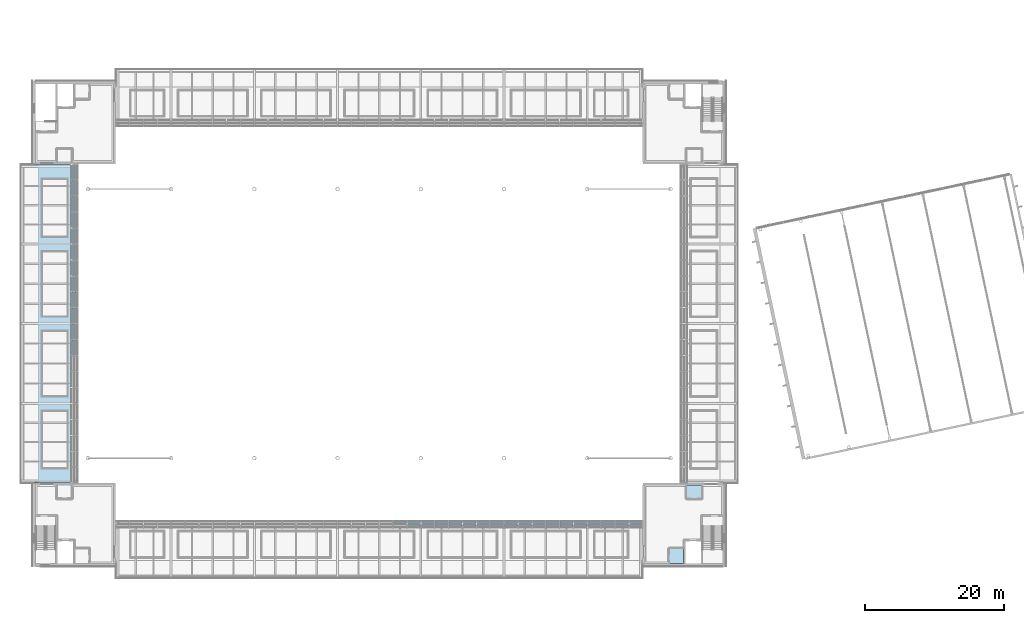
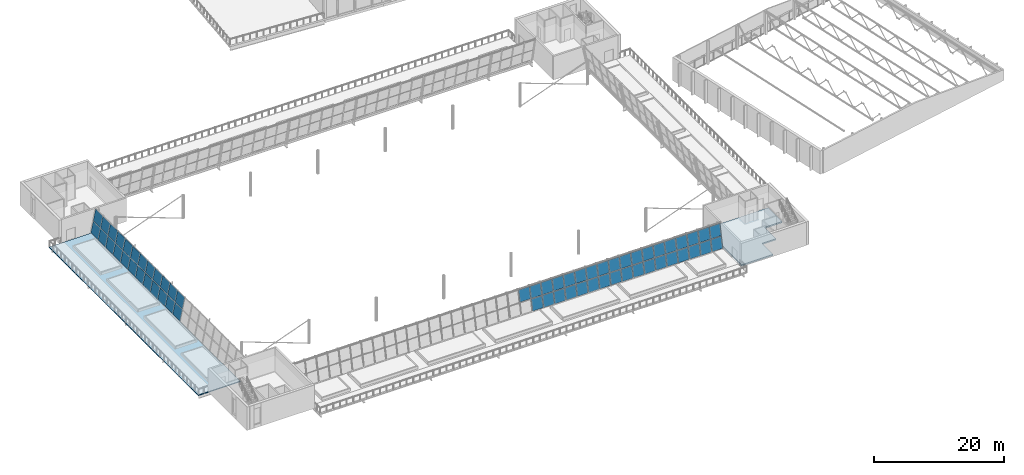
# One storey, part 26 of 58: 59 plates, 2 slabs, 2 elements without a shape of their own.
"""IFC4 building model written with IfcOpenShell, lengths in metres."""

from ifc_helpers import new_model, si_unit, direction, frame, origin, place, context, subcontext, project, spatial, polyline, outline, extrude, material, layer, layer_set, type_object, element, aggregate, save


model = new_model("IFC4")

# Units and contexts
model_context = context("Model", 3, precision=1e-05, world=origin(), true_north=direction((0.0, 1.0)))
body_context = subcontext(model_context, "Body", "Model", "MODEL_VIEW")
ifc_project = project(units=[si_unit("LENGTHUNIT", "METRE"), si_unit("AREAUNIT", "SQUARE_METRE"), si_unit("VOLUMEUNIT", "CUBIC_METRE"), si_unit("PLANEANGLEUNIT", "RADIAN"), si_unit("MASSUNIT", "GRAM", prefix="KILO")], contexts=[model_context])

# Site, building, storey
site_placement = place(None, origin())
site = spatial("IfcSite", under=ifc_project, at=site_placement, CompositionType="ELEMENT")
building_placement = place(site_placement, origin())
building = spatial("IfcBuilding", under=site, at=building_placement, Name="Windward Yard Aquatics Centre", CompositionType="ELEMENT")
storey_placement = place(building_placement, frame((0.0, 0.0, 13.800048828125)))
storey = spatial("IfcBuildingStorey", under=building, at=storey_placement, Name="L03", CompositionType="ELEMENT", Elevation=13.800048828125)

# Slabs
ifc_material_1 = material(Name="Concrete C35/45", Category="concrete")
ifc_layer_1 = layer(ifc_material_1, 0.25)
ifc_layer_set_1 = layer_set([ifc_layer_1], Name="H Core Floor Concrete C35/45 250")
slab_type_1 = type_object("IfcSlabType", Name="H Core Floor Concrete C35/45 250", PredefinedType="FLOOR", material=ifc_layer_set_1)
slab_1_placement = place(storey_placement, frame((0.0, 0.0, -0.25)))
element("IfcSlab", 1, at=slab_1_placement, inside=storey, type_object=slab_type_1, Name="L03 core floor SE", PredefinedType="FLOOR", context=body_context, shape_type="SweptSolid", body=[
    extrude(outline(polyline([(140.300048828125, 26.449951171875), (145.89990234375, 26.449951171875), (145.89990234375, 29.85009765625), (148.39990234375, 29.85009765625), (148.39990234375, 33.39990234375), (151.550048828125, 33.39990234375), (151.550048828125, 37.699951171875), (140.300048828125, 37.699951171875), (140.300048828125, 26.449951171875)])), origin(), (0.0, 0.0, 1.0), 0.25),
])
ifc_material_2 = material(Name="Bituminous waterproofing membrane with root barrier")
ifc_layer_2 = layer(ifc_material_2, 0.005, Name="Waterproofing and root barrier")
ifc_material_3 = material(Name="Cement screed laid to falls")
ifc_layer_3 = layer(ifc_material_3, 0.025, Name="Screed to falls")
ifc_layer_4 = layer(ifc_material_1, 0.12, Name="Structure")
ifc_layer_set_2 = layer_set([ifc_layer_2, ifc_layer_3, ifc_layer_4], Name="H terrace slab 150 C35/45")
slab_type_2 = type_object("IfcSlabType", Name="H terrace slab 150 C35/45", PredefinedType="FLOOR", material=ifc_layer_set_2)
slab_2_placement = place(storey_placement, frame((0.0, 0.0, -0.150146484375)))
element("IfcSlab", 2, at=slab_2_placement, inside=storey, type_object=slab_type_2, Name="H.T1.W", PredefinedType="FLOOR", context=body_context, shape_type="SweptSolid", body=[
    extrude(outline(polyline([(50.209716796875, 38.0), (57.709716796875, 38.0), (57.709716796875, 84.0), (50.209716796875, 84.0), (50.209716796875, 38.0)])), origin(), (0.0, 0.0, 1.0), 0.150146484375),
])

# Curtain wall, plates
ifc_material_4 = material(Name="Glass and aluminium curtain wall", Category="aluminium")
ifc_layer_5 = layer(ifc_material_4, 0.179931640625)
ifc_layer_set_3 = layer_set([ifc_layer_5], Name="H curtain wall tier 2 double glazed 6+16+6")
curtain_wall_type = type_object("IfcCurtainWallType", Name="H curtain wall tier 2 double glazed 6+16+6", PredefinedType="NOTDEFINED", material=ifc_layer_set_3)
curtain_wall_1_placement = place(storey_placement, origin())
curtain_wall_1 = element("IfcCurtainWall", 3, at=curtain_wall_1_placement, inside=storey, type_object=curtain_wall_type, Name="Tier 2 glazing S L03", PredefinedType="NOTDEFINED")
ifc_material_5 = material(Name="Low-iron glass", Category="glass")
ifc_layer_6 = layer(ifc_material_5, 0.006, Name="Outer pane")
ifc_material_6 = material(Name="Argon-filled cavity")
ifc_layer_7 = layer(ifc_material_6, 0.016, Name="Cavity")
ifc_layer_8 = layer(ifc_material_5, 0.006, Name="Inner pane")
ifc_layer_set_4 = layer_set([ifc_layer_6, ifc_layer_7, ifc_layer_8], Name="H tier 2 glass low-e double glazed unit 28")
plate_type = type_object("IfcPlateType", Name="H tier 2 glass low-e double glazed unit 28", PredefinedType="CURTAIN_PANEL", material=ifc_layer_set_4)
plate_1_placement = place(storey_placement, frame((104.037353515625, 32.053955078125, 2.251708984375), z_axis=(0.0, -0.979943605564, 0.199275010764), x_axis=(1.0, 0.0, 0.0)))
plate_1 = element("IfcPlate", 4, at=plate_1_placement, type_object=plate_type, Name="G2SB panel 2.2", PredefinedType="CURTAIN_PANEL", context=body_context, shape_type="SweptSolid", body=[
    extrude(outline(polyline([(0.0, 0.0), (1.93457, 0.0), (1.93457, 2.094997), (0.0, 2.094997), (0.0, 0.0)])), origin(), (0.0, 0.0, -1.0), 0.028076171875),
])
plate_2_placement = place(storey_placement, frame((106.036865234375, 31.617431640625, 0.107177734375), z_axis=(0.0, -0.979914212601, 0.199419497399), x_axis=(1.0, 0.0, 0.0)))
plate_2 = element("IfcPlate", 5, at=plate_2_placement, type_object=plate_type, Name="G2SB panel 3.1", PredefinedType="CURTAIN_PANEL", context=body_context, shape_type="SweptSolid", body=[
    extrude(outline(polyline([(0.0, 0.0), (1.934814, 0.0), (1.934814, 2.088582), (0.0, 2.088582), (0.0, 0.0)])), origin(), (0.0, 0.0, -1.0), 0.028076171875),
])
plate_3_placement = place(storey_placement, frame((106.036865234375, 32.053955078125, 2.251708984375), z_axis=(0.0, -0.979943605564, 0.199275010764), x_axis=(1.0, 0.0, 0.0)))
plate_3 = element("IfcPlate", 6, at=plate_3_placement, type_object=plate_type, Name="G2SB panel 3.2", PredefinedType="CURTAIN_PANEL", context=body_context, shape_type="SweptSolid", body=[
    extrude(outline(polyline([(0.0, 0.0), (1.934814, 0.0), (1.934814, 2.094997), (0.0, 2.094997), (0.0, 0.0)])), origin(), (0.0, 0.0, -1.0), 0.028076171875),
])
plate_4_placement = place(storey_placement, frame((108.03662109375, 31.617431640625, 0.107177734375), z_axis=(0.0, -0.979914212601, 0.199419497399), x_axis=(1.0, 0.0, 0.0)))
plate_4 = element("IfcPlate", 7, at=plate_4_placement, type_object=plate_type, Name="G2SB panel 4.1", PredefinedType="CURTAIN_PANEL", context=body_context, shape_type="SweptSolid", body=[
    extrude(outline(polyline([(0.0, 0.0), (1.934814, 0.0), (1.934814, 2.088582), (0.0, 2.088582), (0.0, 0.0)])), origin(), (0.0, 0.0, -1.0), 0.028076171875),
])
plate_5_placement = place(storey_placement, frame((108.03662109375, 32.053955078125, 2.251708984375), z_axis=(0.0, -0.979943605564, 0.199275010764), x_axis=(1.0, 0.0, 0.0)))
plate_5 = element("IfcPlate", 8, at=plate_5_placement, type_object=plate_type, Name="G2SB panel 4.2", PredefinedType="CURTAIN_PANEL", context=body_context, shape_type="SweptSolid", body=[
    extrude(outline(polyline([(0.0, 0.0), (1.934814, 0.0), (1.934814, 2.094997), (0.0, 2.094997), (0.0, 0.0)])), origin(), (0.0, 0.0, -1.0), 0.028076171875),
])
plate_6_placement = place(storey_placement, frame((110.036376953125, 31.617431640625, 0.107177734375), z_axis=(0.0, -0.979914212601, 0.199419497399), x_axis=(1.0, 0.0, 0.0)))
plate_6 = element("IfcPlate", 9, at=plate_6_placement, type_object=plate_type, Name="G2SB panel 5.1", PredefinedType="CURTAIN_PANEL", context=body_context, shape_type="SweptSolid", body=[
    extrude(outline(polyline([(0.0, 0.0), (1.934814, 0.0), (1.934814, 2.088582), (0.0, 2.088582), (0.0, 0.0)])), origin(), (0.0, 0.0, -1.0), 0.028076171875),
])
plate_7_placement = place(storey_placement, frame((110.036376953125, 32.053955078125, 2.251708984375), z_axis=(0.0, -0.979943605564, 0.199275010764), x_axis=(1.0, 0.0, 0.0)))
plate_7 = element("IfcPlate", 10, at=plate_7_placement, type_object=plate_type, Name="G2SB panel 5.2", PredefinedType="CURTAIN_PANEL", context=body_context, shape_type="SweptSolid", body=[
    extrude(outline(polyline([(0.0, 0.0), (1.934814, 0.0), (1.934814, 2.094997), (0.0, 2.094997), (0.0, 0.0)])), origin(), (0.0, 0.0, -1.0), 0.028076171875),
])
plate_8_placement = place(storey_placement, frame((112.0361328125, 31.617431640625, 0.107177734375), z_axis=(0.0, -0.979914212601, 0.199419497399), x_axis=(1.0, 0.0, 0.0)))
plate_8 = element("IfcPlate", 11, at=plate_8_placement, type_object=plate_type, Name="G2SB panel 6.1", PredefinedType="CURTAIN_PANEL", context=body_context, shape_type="SweptSolid", body=[
    extrude(outline(polyline([(0.0, 0.0), (1.934814, 0.0), (1.934814, 2.088582), (0.0, 2.088582), (0.0, 0.0)])), origin(), (0.0, 0.0, -1.0), 0.028076171875),
])
plate_9_placement = place(storey_placement, frame((112.0361328125, 32.053955078125, 2.251708984375), z_axis=(0.0, -0.979943605564, 0.199275010764), x_axis=(1.0, 0.0, 0.0)))
plate_9 = element("IfcPlate", 12, at=plate_9_placement, type_object=plate_type, Name="G2SB panel 6.2", PredefinedType="CURTAIN_PANEL", context=body_context, shape_type="SweptSolid", body=[
    extrude(outline(polyline([(0.0, 0.0), (1.934814, 0.0), (1.934814, 2.094997), (0.0, 2.094997), (0.0, 0.0)])), origin(), (0.0, 0.0, -1.0), 0.028076171875),
])
plate_10_placement = place(storey_placement, frame((114.035888671875, 31.617431640625, 0.107177734375), z_axis=(0.0, -0.979914212601, 0.199419497399), x_axis=(1.0, 0.0, 0.0)))
plate_10 = element("IfcPlate", 13, at=plate_10_placement, type_object=plate_type, Name="G2SB panel 7.1", PredefinedType="CURTAIN_PANEL", context=body_context, shape_type="SweptSolid", body=[
    extrude(outline(polyline([(0.0, 0.0), (1.934814, 0.0), (1.934814, 2.088582), (0.0, 2.088582), (0.0, 0.0)])), origin(), (0.0, 0.0, -1.0), 0.028076171875),
])
plate_11_placement = place(storey_placement, frame((114.035888671875, 32.053955078125, 2.251708984375), z_axis=(0.0, -0.979943605564, 0.199275010764), x_axis=(1.0, 0.0, 0.0)))
plate_11 = element("IfcPlate", 14, at=plate_11_placement, type_object=plate_type, Name="G2SB panel 7.2", PredefinedType="CURTAIN_PANEL", context=body_context, shape_type="SweptSolid", body=[
    extrude(outline(polyline([(0.0, 0.0), (1.934814, 0.0), (1.934814, 2.094997), (0.0, 2.094997), (0.0, 0.0)])), origin(), (0.0, 0.0, -1.0), 0.028076171875),
])
plate_12_placement = place(storey_placement, frame((116.03564453125, 31.617431640625, 0.107177734375), z_axis=(0.0, -0.979914212601, 0.199419497399), x_axis=(1.0, 0.0, 0.0)))
plate_12 = element("IfcPlate", 15, at=plate_12_placement, type_object=plate_type, Name="G2SB panel 8.1", PredefinedType="CURTAIN_PANEL", context=body_context, shape_type="SweptSolid", body=[
    extrude(outline(polyline([(0.0, 0.0), (1.934814, 0.0), (1.934814, 2.088582), (0.0, 2.088582), (0.0, 0.0)])), origin(), (0.0, 0.0, -1.0), 0.028076171875),
])
plate_13_placement = place(storey_placement, frame((116.03564453125, 32.053955078125, 2.251708984375), z_axis=(0.0, -0.979943605564, 0.199275010764), x_axis=(1.0, 0.0, 0.0)))
plate_13 = element("IfcPlate", 16, at=plate_13_placement, type_object=plate_type, Name="G2SB panel 8.2", PredefinedType="CURTAIN_PANEL", context=body_context, shape_type="SweptSolid", body=[
    extrude(outline(polyline([(0.0, 0.0), (1.934814, 0.0), (1.934814, 2.094997), (0.0, 2.094997), (0.0, 0.0)])), origin(), (0.0, 0.0, -1.0), 0.028076171875),
])
plate_14_placement = place(storey_placement, frame((118.035400390625, 31.617431640625, 0.107177734375), z_axis=(0.0, -0.979914212601, 0.199419497399), x_axis=(1.0, 0.0, 0.0)))
plate_14 = element("IfcPlate", 17, at=plate_14_placement, type_object=plate_type, Name="G2SB panel 9.1", PredefinedType="CURTAIN_PANEL", context=body_context, shape_type="SweptSolid", body=[
    extrude(outline(polyline([(0.0, 0.0), (1.934814, 0.0), (1.934814, 2.088582), (0.0, 2.088582), (0.0, 0.0)])), origin(), (0.0, 0.0, -1.0), 0.028076171875),
])
plate_15_placement = place(storey_placement, frame((118.035400390625, 32.053955078125, 2.251708984375), z_axis=(0.0, -0.979943605564, 0.199275010764), x_axis=(1.0, 0.0, 0.0)))
plate_15 = element("IfcPlate", 18, at=plate_15_placement, type_object=plate_type, Name="G2SB panel 9.2", PredefinedType="CURTAIN_PANEL", context=body_context, shape_type="SweptSolid", body=[
    extrude(outline(polyline([(0.0, 0.0), (1.934814, 0.0), (1.934814, 2.094997), (0.0, 2.094997), (0.0, 0.0)])), origin(), (0.0, 0.0, -1.0), 0.028076171875),
])
plate_16_placement = place(storey_placement, frame((120.03515625, 31.617431640625, 0.107177734375), z_axis=(0.0, -0.979914212601, 0.199419497399), x_axis=(1.0, 0.0, 0.0)))
plate_16 = element("IfcPlate", 19, at=plate_16_placement, type_object=plate_type, Name="G2SB panel 10.1", PredefinedType="CURTAIN_PANEL", context=body_context, shape_type="SweptSolid", body=[
    extrude(outline(polyline([(0.0, 0.0), (1.934814, 0.0), (1.934814, 2.088582), (0.0, 2.088582), (0.0, 0.0)])), origin(), (0.0, 0.0, -1.0), 0.028076171875),
])
plate_17_placement = place(storey_placement, frame((120.03515625, 32.053955078125, 2.251708984375), z_axis=(0.0, -0.979943605564, 0.199275010764), x_axis=(1.0, 0.0, 0.0)))
plate_17 = element("IfcPlate", 20, at=plate_17_placement, type_object=plate_type, Name="G2SB panel 10.2", PredefinedType="CURTAIN_PANEL", context=body_context, shape_type="SweptSolid", body=[
    extrude(outline(polyline([(0.0, 0.0), (1.934814, 0.0), (1.934814, 2.094997), (0.0, 2.094997), (0.0, 0.0)])), origin(), (0.0, 0.0, -1.0), 0.028076171875),
])
plate_18_placement = place(storey_placement, frame((122.034912109375, 31.617431640625, 0.107177734375), z_axis=(0.0, -0.979914212601, 0.199419497399), x_axis=(1.0, 0.0, 0.0)))
plate_18 = element("IfcPlate", 21, at=plate_18_placement, type_object=plate_type, Name="G2SB panel 11.1", PredefinedType="CURTAIN_PANEL", context=body_context, shape_type="SweptSolid", body=[
    extrude(outline(polyline([(0.0, 0.0), (1.934814, 0.0), (1.934814, 2.088582), (0.0, 2.088582), (0.0, 0.0)])), origin(), (0.0, 0.0, -1.0), 0.028076171875),
])
plate_19_placement = place(storey_placement, frame((122.034912109375, 32.053955078125, 2.251708984375), z_axis=(0.0, -0.979943605564, 0.199275010764), x_axis=(1.0, 0.0, 0.0)))
plate_19 = element("IfcPlate", 22, at=plate_19_placement, type_object=plate_type, Name="G2SB panel 11.2", PredefinedType="CURTAIN_PANEL", context=body_context, shape_type="SweptSolid", body=[
    extrude(outline(polyline([(0.0, 0.0), (1.934814, 0.0), (1.934814, 2.094997), (0.0, 2.094997), (0.0, 0.0)])), origin(), (0.0, 0.0, -1.0), 0.028076171875),
])
plate_20_placement = place(storey_placement, frame((124.03466796875, 31.617431640625, 0.107177734375), z_axis=(0.0, -0.979914212601, 0.199419497399), x_axis=(1.0, 0.0, 0.0)))
plate_20 = element("IfcPlate", 23, at=plate_20_placement, type_object=plate_type, Name="G2SB panel 12.1", PredefinedType="CURTAIN_PANEL", context=body_context, shape_type="SweptSolid", body=[
    extrude(outline(polyline([(0.0, 0.0), (1.93457, 0.0), (1.93457, 2.088582), (0.0, 2.088582), (0.0, 0.0)])), origin(), (0.0, 0.0, -1.0), 0.028076171875),
])
plate_21_placement = place(storey_placement, frame((124.03466796875, 32.053955078125, 2.251708984375), z_axis=(0.0, -0.979943605564, 0.199275010764), x_axis=(1.0, 0.0, 0.0)))
plate_21 = element("IfcPlate", 24, at=plate_21_placement, type_object=plate_type, Name="G2SB panel 12.2", PredefinedType="CURTAIN_PANEL", context=body_context, shape_type="SweptSolid", body=[
    extrude(outline(polyline([(0.0, 0.0), (1.93457, 0.0), (1.93457, 2.094997), (0.0, 2.094997), (0.0, 0.0)])), origin(), (0.0, 0.0, -1.0), 0.028076171875),
])
plate_22_placement = place(storey_placement, frame((126.034423828125, 31.617431640625, 0.107177734375), z_axis=(0.0, -0.979914212601, 0.199419497399), x_axis=(1.0, 0.0, 0.0)))
plate_22 = element("IfcPlate", 25, at=plate_22_placement, type_object=plate_type, Name="G2SB panel 13.1", PredefinedType="CURTAIN_PANEL", context=body_context, shape_type="SweptSolid", body=[
    extrude(outline(polyline([(0.0, 0.0), (1.93457, 0.0), (1.93457, 2.088582), (0.0, 2.088582), (0.0, 0.0)])), origin(), (0.0, 0.0, -1.0), 0.028076171875),
])
plate_23_placement = place(storey_placement, frame((126.034423828125, 32.053955078125, 2.251708984375), z_axis=(0.0, -0.979943605564, 0.199275010764), x_axis=(1.0, 0.0, 0.0)))
plate_23 = element("IfcPlate", 26, at=plate_23_placement, type_object=plate_type, Name="G2SB panel 13.2", PredefinedType="CURTAIN_PANEL", context=body_context, shape_type="SweptSolid", body=[
    extrude(outline(polyline([(0.0, 0.0), (1.93457, 0.0), (1.93457, 2.094997), (0.0, 2.094997), (0.0, 0.0)])), origin(), (0.0, 0.0, -1.0), 0.028076171875),
])
plate_24_placement = place(storey_placement, frame((128.0341796875, 31.617431640625, 0.107177734375), z_axis=(0.0, -0.979914212601, 0.199419497399), x_axis=(1.0, 0.0, 0.0)))
plate_24 = element("IfcPlate", 27, at=plate_24_placement, type_object=plate_type, Name="G2SB panel 14.1", PredefinedType="CURTAIN_PANEL", context=body_context, shape_type="SweptSolid", body=[
    extrude(outline(polyline([(0.0, 0.0), (1.93457, 0.0), (1.93457, 2.088582), (0.0, 2.088582), (0.0, 0.0)])), origin(), (0.0, 0.0, -1.0), 0.028076171875),
])
plate_25_placement = place(storey_placement, frame((128.0341796875, 32.053955078125, 2.251708984375), z_axis=(0.0, -0.979943605564, 0.199275010764), x_axis=(1.0, 0.0, 0.0)))
plate_25 = element("IfcPlate", 28, at=plate_25_placement, type_object=plate_type, Name="G2SB panel 14.2", PredefinedType="CURTAIN_PANEL", context=body_context, shape_type="SweptSolid", body=[
    extrude(outline(polyline([(0.0, 0.0), (1.93457, 0.0), (1.93457, 2.094997), (0.0, 2.094997), (0.0, 0.0)])), origin(), (0.0, 0.0, -1.0), 0.028076171875),
])
plate_26_placement = place(storey_placement, frame((130.033935546875, 31.617431640625, 0.107177734375), z_axis=(0.0, -0.979914212601, 0.199419497399), x_axis=(1.0, 0.0, 0.0)))
plate_26 = element("IfcPlate", 29, at=plate_26_placement, type_object=plate_type, Name="G2SB panel 15.1", PredefinedType="CURTAIN_PANEL", context=body_context, shape_type="SweptSolid", body=[
    extrude(outline(polyline([(0.0, 0.0), (1.93457, 0.0), (1.93457, 2.088582), (0.0, 2.088582), (0.0, 0.0)])), origin(), (0.0, 0.0, -1.0), 0.028076171875),
])
plate_27_placement = place(storey_placement, frame((130.033935546875, 32.053955078125, 2.251708984375), z_axis=(0.0, -0.979943605564, 0.199275010764), x_axis=(1.0, 0.0, 0.0)))
plate_27 = element("IfcPlate", 30, at=plate_27_placement, type_object=plate_type, Name="G2SB panel 15.2", PredefinedType="CURTAIN_PANEL", context=body_context, shape_type="SweptSolid", body=[
    extrude(outline(polyline([(0.0, 0.0), (1.93457, 0.0), (1.93457, 2.094997), (0.0, 2.094997), (0.0, 0.0)])), origin(), (0.0, 0.0, -1.0), 0.028076171875),
])
plate_28_placement = place(storey_placement, frame((132.033447265625, 31.617431640625, 0.107177734375), z_axis=(0.0, -0.979914212601, 0.199419497399), x_axis=(1.0, 0.0, 0.0)))
plate_28 = element("IfcPlate", 31, at=plate_28_placement, type_object=plate_type, Name="G2SB panel 16.1", PredefinedType="CURTAIN_PANEL", context=body_context, shape_type="SweptSolid", body=[
    extrude(outline(polyline([(0.0, 0.0), (1.934814, 0.0), (1.934814, 2.088582), (0.0, 2.088582), (0.0, 0.0)])), origin(), (0.0, 0.0, -1.0), 0.028076171875),
])
plate_29_placement = place(storey_placement, frame((132.033447265625, 32.053955078125, 2.251708984375), z_axis=(0.0, -0.979943605564, 0.199275010764), x_axis=(1.0, 0.0, 0.0)))
plate_29 = element("IfcPlate", 32, at=plate_29_placement, type_object=plate_type, Name="G2SB panel 16.2", PredefinedType="CURTAIN_PANEL", context=body_context, shape_type="SweptSolid", body=[
    extrude(outline(polyline([(0.0, 0.0), (1.934814, 0.0), (1.934814, 2.094997), (0.0, 2.094997), (0.0, 0.0)])), origin(), (0.0, 0.0, -1.0), 0.028076171875),
])
plate_30_placement = place(storey_placement, frame((134.033203125, 31.617431640625, 0.107177734375), z_axis=(0.0, -0.979914212601, 0.199419497399), x_axis=(1.0, 0.0, 0.0)))
plate_30 = element("IfcPlate", 33, at=plate_30_placement, type_object=plate_type, Name="G2SB panel 17.1", PredefinedType="CURTAIN_PANEL", context=body_context, shape_type="SweptSolid", body=[
    extrude(outline(polyline([(0.0, 0.0), (1.934814, 0.0), (1.934814, 2.088582), (0.0, 2.088582), (0.0, 0.0)])), origin(), (0.0, 0.0, -1.0), 0.028076171875),
])
plate_31_placement = place(storey_placement, frame((134.033203125, 32.053955078125, 2.251708984375), z_axis=(0.0, -0.979943605564, 0.199275010764), x_axis=(1.0, 0.0, 0.0)))
plate_31 = element("IfcPlate", 34, at=plate_31_placement, type_object=plate_type, Name="G2SB panel 17.2", PredefinedType="CURTAIN_PANEL", context=body_context, shape_type="SweptSolid", body=[
    extrude(outline(polyline([(0.0, 0.0), (1.934814, 0.0), (1.934814, 2.094997), (0.0, 2.094997), (0.0, 0.0)])), origin(), (0.0, 0.0, -1.0), 0.028076171875),
])
plate_32_placement = place(storey_placement, frame((136.032958984375, 31.617431640625, 0.107177734375), z_axis=(0.0, -0.979914212601, 0.199419497399), x_axis=(1.0, 0.0, 0.0)))
plate_32 = element("IfcPlate", 35, at=plate_32_placement, type_object=plate_type, Name="G2SB panel 18.1", PredefinedType="CURTAIN_PANEL", context=body_context, shape_type="SweptSolid", body=[
    extrude(outline(polyline([(0.0, 0.0), (1.934814, 0.0), (1.934814, 2.088582), (0.0, 2.088582), (0.0, 0.0)])), origin(), (0.0, 0.0, -1.0), 0.028076171875),
])
plate_33_placement = place(storey_placement, frame((136.032958984375, 32.053955078125, 2.251708984375), z_axis=(0.0, -0.979943605564, 0.199275010764), x_axis=(1.0, 0.0, 0.0)))
plate_33 = element("IfcPlate", 36, at=plate_33_placement, type_object=plate_type, Name="G2SB panel 18.2", PredefinedType="CURTAIN_PANEL", context=body_context, shape_type="SweptSolid", body=[
    extrude(outline(polyline([(0.0, 0.0), (1.934814, 0.0), (1.934814, 2.094997), (0.0, 2.094997), (0.0, 0.0)])), origin(), (0.0, 0.0, -1.0), 0.028076171875),
])
plate_34_placement = place(storey_placement, frame((138.03271484375, 31.617431640625, 0.107177734375), z_axis=(0.0, -0.979914212601, 0.199419497399), x_axis=(1.0, 0.0, 0.0)))
plate_34 = element("IfcPlate", 37, at=plate_34_placement, type_object=plate_type, Name="G2SB panel 19.1", PredefinedType="CURTAIN_PANEL", context=body_context, shape_type="SweptSolid", body=[
    extrude(outline(polyline([(0.0, 0.0), (1.902344, 0.0), (1.902344, 2.088582), (0.0, 2.088582), (0.0, 0.0)])), origin(), (0.0, 0.0, -1.0), 0.028076171875),
])
plate_35_placement = place(storey_placement, frame((138.03271484375, 32.053955078125, 2.251708984375), z_axis=(0.0, -0.979943605564, 0.199275010764), x_axis=(1.0, 0.0, 0.0)))
plate_35 = element("IfcPlate", 38, at=plate_35_placement, type_object=plate_type, Name="G2SB panel 19.2", PredefinedType="CURTAIN_PANEL", context=body_context, shape_type="SweptSolid", body=[
    extrude(outline(polyline([(0.0, 0.0), (1.902344, 0.0), (1.902344, 2.094997), (0.0, 2.094997), (0.0, 0.0)])), origin(), (0.0, 0.0, -1.0), 0.028076171875),
])
aggregate(curtain_wall_1, [plate_1, plate_2, plate_3, plate_4, plate_5, plate_6, plate_7, plate_8, plate_9, plate_10, plate_11, plate_12, plate_13, plate_14, plate_15, plate_16, plate_17, plate_18, plate_19, plate_20, plate_21, plate_22, plate_23, plate_24, plate_25, plate_26, plate_27, plate_28, plate_29, plate_30, plate_31, plate_32, plate_33, plate_34, plate_35])

curtain_wall_2_placement = place(storey_placement, origin())
curtain_wall_2 = element("IfcCurtainWall", 39, at=curtain_wall_2_placement, inside=storey, type_object=curtain_wall_type, Name="Tier 2 glazing W L03", PredefinedType="NOTDEFINED")
plate_36_placement = place(storey_placement, frame((57.617431640625, 56.4326171875, 0.107177734375), z_axis=(-0.979914212601, 0.0, 0.199419497399), x_axis=(0.0, 1.0, 0.0)))
plate_36 = element("IfcPlate", 40, at=plate_36_placement, type_object=plate_type, Name="G2WA panel 9.1", PredefinedType="CURTAIN_PANEL", context=body_context, shape_type="SweptSolid", body=[
    extrude(outline(polyline([(0.0, 0.0), (2.234863, 0.0), (2.234863, -2.088582), (0.0, -2.088582), (0.0, 0.0)])), origin(), (0.0, 0.0, -1.0), 0.028076171875),
])
plate_37_placement = place(storey_placement, frame((58.053955078125, 56.4326171875, 2.251708984375), z_axis=(-0.979943605564, 0.0, 0.199275010764), x_axis=(0.0, 1.0, 0.0)))
plate_37 = element("IfcPlate", 41, at=plate_37_placement, type_object=plate_type, Name="G2WA panel 9.2", PredefinedType="CURTAIN_PANEL", context=body_context, shape_type="SweptSolid", body=[
    extrude(outline(polyline([(0.0, 0.0), (2.234863, 0.0), (2.234863, -2.094997), (0.0, -2.094997), (0.0, 0.0)])), origin(), (0.0, 0.0, -1.0), 0.028076171875),
])
plate_38_placement = place(storey_placement, frame((57.617431640625, 58.732421875, 0.107177734375), z_axis=(-0.979914212601, 0.0, 0.199419497399), x_axis=(0.0, 1.0, 0.0)))
plate_38 = element("IfcPlate", 42, at=plate_38_placement, type_object=plate_type, Name="G2WA panel 10.1", PredefinedType="CURTAIN_PANEL", context=body_context, shape_type="SweptSolid", body=[
    extrude(outline(polyline([(0.0, 0.0), (2.235107, 0.0), (2.235107, -2.088582), (0.0, -2.088582), (0.0, 0.0)])), origin(), (0.0, 0.0, -1.0), 0.028076171875),
])
plate_39_placement = place(storey_placement, frame((58.053955078125, 58.732421875, 2.251708984375), z_axis=(-0.979943605564, 0.0, 0.199275010764), x_axis=(0.0, 1.0, 0.0)))
plate_39 = element("IfcPlate", 43, at=plate_39_placement, type_object=plate_type, Name="G2WA panel 10.2", PredefinedType="CURTAIN_PANEL", context=body_context, shape_type="SweptSolid", body=[
    extrude(outline(polyline([(0.0, 0.0), (2.235107, 0.0), (2.235107, -2.094997), (0.0, -2.094997), (0.0, 0.0)])), origin(), (0.0, 0.0, -1.0), 0.028076171875),
])
plate_40_placement = place(storey_placement, frame((57.617431640625, 61.032470703125, 0.107177734375), z_axis=(-0.979914212601, 0.0, 0.199419497399), x_axis=(0.0, 1.0, 0.0)))
plate_40 = element("IfcPlate", 44, at=plate_40_placement, type_object=plate_type, Name="G2WA panel 11.1", PredefinedType="CURTAIN_PANEL", context=body_context, shape_type="SweptSolid", body=[
    extrude(outline(polyline([(0.0, 0.0), (2.235107, 0.0), (2.235107, -2.088582), (0.0, -2.088582), (0.0, 0.0)])), origin(), (0.0, 0.0, -1.0), 0.028076171875),
])
plate_41_placement = place(storey_placement, frame((58.053955078125, 61.032470703125, 2.251708984375), z_axis=(-0.979943605564, 0.0, 0.199275010764), x_axis=(0.0, 1.0, 0.0)))
plate_41 = element("IfcPlate", 45, at=plate_41_placement, type_object=plate_type, Name="G2WA panel 11.2", PredefinedType="CURTAIN_PANEL", context=body_context, shape_type="SweptSolid", body=[
    extrude(outline(polyline([(0.0, 0.0), (2.235107, 0.0), (2.235107, -2.094997), (0.0, -2.094997), (0.0, 0.0)])), origin(), (0.0, 0.0, -1.0), 0.028076171875),
])
plate_42_placement = place(storey_placement, frame((57.617431640625, 63.33251953125, 0.107177734375), z_axis=(-0.979914212601, 0.0, 0.199419497399), x_axis=(0.0, 1.0, 0.0)))
plate_42 = element("IfcPlate", 46, at=plate_42_placement, type_object=plate_type, Name="G2WA panel 12.1", PredefinedType="CURTAIN_PANEL", context=body_context, shape_type="SweptSolid", body=[
    extrude(outline(polyline([(0.0, 0.0), (2.234863, 0.0), (2.234863, -2.088582), (0.0, -2.088582), (0.0, 0.0)])), origin(), (0.0, 0.0, -1.0), 0.028076171875),
])
plate_43_placement = place(storey_placement, frame((58.053955078125, 63.33251953125, 2.251708984375), z_axis=(-0.979943605564, 0.0, 0.199275010764), x_axis=(0.0, 1.0, 0.0)))
plate_43 = element("IfcPlate", 47, at=plate_43_placement, type_object=plate_type, Name="G2WA panel 12.2", PredefinedType="CURTAIN_PANEL", context=body_context, shape_type="SweptSolid", body=[
    extrude(outline(polyline([(0.0, 0.0), (2.234863, 0.0), (2.234863, -2.094997), (0.0, -2.094997), (0.0, 0.0)])), origin(), (0.0, 0.0, -1.0), 0.028076171875),
])
plate_44_placement = place(storey_placement, frame((57.617431640625, 65.632568359375, 0.107177734375), z_axis=(-0.979914212601, 0.0, 0.199419497399), x_axis=(0.0, 1.0, 0.0)))
plate_44 = element("IfcPlate", 48, at=plate_44_placement, type_object=plate_type, Name="G2WA panel 13.1", PredefinedType="CURTAIN_PANEL", context=body_context, shape_type="SweptSolid", body=[
    extrude(outline(polyline([(0.0, 0.0), (2.234863, 0.0), (2.234863, -2.088582), (0.0, -2.088582), (0.0, 0.0)])), origin(), (0.0, 0.0, -1.0), 0.028076171875),
])
plate_45_placement = place(storey_placement, frame((58.053955078125, 65.632568359375, 2.251708984375), z_axis=(-0.979943605564, 0.0, 0.199275010764), x_axis=(0.0, 1.0, 0.0)))
plate_45 = element("IfcPlate", 49, at=plate_45_placement, type_object=plate_type, Name="G2WA panel 13.2", PredefinedType="CURTAIN_PANEL", context=body_context, shape_type="SweptSolid", body=[
    extrude(outline(polyline([(0.0, 0.0), (2.234863, 0.0), (2.234863, -2.094997), (0.0, -2.094997), (0.0, 0.0)])), origin(), (0.0, 0.0, -1.0), 0.028076171875),
])
plate_46_placement = place(storey_placement, frame((57.617431640625, 67.9326171875, 0.107177734375), z_axis=(-0.979914212601, 0.0, 0.199419497399), x_axis=(0.0, 1.0, 0.0)))
plate_46 = element("IfcPlate", 50, at=plate_46_placement, type_object=plate_type, Name="G2WA panel 14.1", PredefinedType="CURTAIN_PANEL", context=body_context, shape_type="SweptSolid", body=[
    extrude(outline(polyline([(0.0, 0.0), (2.234863, 0.0), (2.234863, -2.088582), (0.0, -2.088582), (0.0, 0.0)])), origin(), (0.0, 0.0, -1.0), 0.028076171875),
])
plate_47_placement = place(storey_placement, frame((58.053955078125, 67.9326171875, 2.251708984375), z_axis=(-0.979943605564, 0.0, 0.199275010764), x_axis=(0.0, 1.0, 0.0)))
plate_47 = element("IfcPlate", 51, at=plate_47_placement, type_object=plate_type, Name="G2WA panel 14.2", PredefinedType="CURTAIN_PANEL", context=body_context, shape_type="SweptSolid", body=[
    extrude(outline(polyline([(0.0, 0.0), (2.234863, 0.0), (2.234863, -2.094997), (0.0, -2.094997), (0.0, 0.0)])), origin(), (0.0, 0.0, -1.0), 0.028076171875),
])
plate_48_placement = place(storey_placement, frame((57.617431640625, 70.232421875, 0.107177734375), z_axis=(-0.979914212601, 0.0, 0.199419497399), x_axis=(0.0, 1.0, 0.0)))
plate_48 = element("IfcPlate", 52, at=plate_48_placement, type_object=plate_type, Name="G2WA panel 15.1", PredefinedType="CURTAIN_PANEL", context=body_context, shape_type="SweptSolid", body=[
    extrude(outline(polyline([(0.0, 0.0), (2.235107, 0.0), (2.235107, -2.088582), (0.0, -2.088582), (0.0, 0.0)])), origin(), (0.0, 0.0, -1.0), 0.028076171875),
])
plate_49_placement = place(storey_placement, frame((58.053955078125, 70.232421875, 2.251708984375), z_axis=(-0.979943605564, 0.0, 0.199275010764), x_axis=(0.0, 1.0, 0.0)))
plate_49 = element("IfcPlate", 53, at=plate_49_placement, type_object=plate_type, Name="G2WA panel 15.2", PredefinedType="CURTAIN_PANEL", context=body_context, shape_type="SweptSolid", body=[
    extrude(outline(polyline([(0.0, 0.0), (2.235107, 0.0), (2.235107, -2.094997), (0.0, -2.094997), (0.0, 0.0)])), origin(), (0.0, 0.0, -1.0), 0.028076171875),
])
plate_50_placement = place(storey_placement, frame((57.617431640625, 72.532470703125, 0.107177734375), z_axis=(-0.979914212601, 0.0, 0.199419497399), x_axis=(0.0, 1.0, 0.0)))
plate_50 = element("IfcPlate", 54, at=plate_50_placement, type_object=plate_type, Name="G2WA panel 16.1", PredefinedType="CURTAIN_PANEL", context=body_context, shape_type="SweptSolid", body=[
    extrude(outline(polyline([(0.0, 0.0), (2.235107, 0.0), (2.235107, -2.088582), (0.0, -2.088582), (0.0, 0.0)])), origin(), (0.0, 0.0, -1.0), 0.028076171875),
])
plate_51_placement = place(storey_placement, frame((58.053955078125, 72.532470703125, 2.251708984375), z_axis=(-0.979943605564, 0.0, 0.199275010764), x_axis=(0.0, 1.0, 0.0)))
plate_51 = element("IfcPlate", 55, at=plate_51_placement, type_object=plate_type, Name="G2WA panel 16.2", PredefinedType="CURTAIN_PANEL", context=body_context, shape_type="SweptSolid", body=[
    extrude(outline(polyline([(0.0, 0.0), (2.235107, 0.0), (2.235107, -2.094997), (0.0, -2.094997), (0.0, 0.0)])), origin(), (0.0, 0.0, -1.0), 0.028076171875),
])
plate_52_placement = place(storey_placement, frame((57.617431640625, 74.83251953125, 0.107177734375), z_axis=(-0.979914212601, 0.0, 0.199419497399), x_axis=(0.0, 1.0, 0.0)))
plate_52 = element("IfcPlate", 56, at=plate_52_placement, type_object=plate_type, Name="G2WA panel 17.1", PredefinedType="CURTAIN_PANEL", context=body_context, shape_type="SweptSolid", body=[
    extrude(outline(polyline([(0.0, 0.0), (2.234863, 0.0), (2.234863, -2.088582), (0.0, -2.088582), (0.0, 0.0)])), origin(), (0.0, 0.0, -1.0), 0.028076171875),
])
plate_53_placement = place(storey_placement, frame((58.053955078125, 74.83251953125, 2.251708984375), z_axis=(-0.979943605564, 0.0, 0.199275010764), x_axis=(0.0, 1.0, 0.0)))
plate_53 = element("IfcPlate", 57, at=plate_53_placement, type_object=plate_type, Name="G2WA panel 17.2", PredefinedType="CURTAIN_PANEL", context=body_context, shape_type="SweptSolid", body=[
    extrude(outline(polyline([(0.0, 0.0), (2.234863, 0.0), (2.234863, -2.094997), (0.0, -2.094997), (0.0, 0.0)])), origin(), (0.0, 0.0, -1.0), 0.028076171875),
])
plate_54_placement = place(storey_placement, frame((57.617431640625, 77.132568359375, 0.107177734375), z_axis=(-0.979914212601, 0.0, 0.199419497399), x_axis=(0.0, 1.0, 0.0)))
plate_54 = element("IfcPlate", 58, at=plate_54_placement, type_object=plate_type, Name="G2WA panel 18.1", PredefinedType="CURTAIN_PANEL", context=body_context, shape_type="SweptSolid", body=[
    extrude(outline(polyline([(0.0, 0.0), (2.234863, 0.0), (2.234863, -2.088582), (0.0, -2.088582), (0.0, 0.0)])), origin(), (0.0, 0.0, -1.0), 0.028076171875),
])
plate_55_placement = place(storey_placement, frame((58.053955078125, 77.132568359375, 2.251708984375), z_axis=(-0.979943605564, 0.0, 0.199275010764), x_axis=(0.0, 1.0, 0.0)))
plate_55 = element("IfcPlate", 59, at=plate_55_placement, type_object=plate_type, Name="G2WA panel 18.2", PredefinedType="CURTAIN_PANEL", context=body_context, shape_type="SweptSolid", body=[
    extrude(outline(polyline([(0.0, 0.0), (2.234863, 0.0), (2.234863, -2.094997), (0.0, -2.094997), (0.0, 0.0)])), origin(), (0.0, 0.0, -1.0), 0.028076171875),
])
plate_56_placement = place(storey_placement, frame((57.617431640625, 79.4326171875, 0.107177734375), z_axis=(-0.979914212601, 0.0, 0.199419497399), x_axis=(0.0, 1.0, 0.0)))
plate_56 = element("IfcPlate", 60, at=plate_56_placement, type_object=plate_type, Name="G2WA panel 19.1", PredefinedType="CURTAIN_PANEL", context=body_context, shape_type="SweptSolid", body=[
    extrude(outline(polyline([(0.0, 0.0), (2.234863, 0.0), (2.234863, -2.088582), (0.0, -2.088582), (0.0, 0.0)])), origin(), (0.0, 0.0, -1.0), 0.028076171875),
])
plate_57_placement = place(storey_placement, frame((58.053955078125, 79.4326171875, 2.251708984375), z_axis=(-0.979943605564, 0.0, 0.199275010764), x_axis=(0.0, 1.0, 0.0)))
plate_57 = element("IfcPlate", 61, at=plate_57_placement, type_object=plate_type, Name="G2WA panel 19.2", PredefinedType="CURTAIN_PANEL", context=body_context, shape_type="SweptSolid", body=[
    extrude(outline(polyline([(0.0, 0.0), (2.234863, 0.0), (2.234863, -2.094997), (0.0, -2.094997), (0.0, 0.0)])), origin(), (0.0, 0.0, -1.0), 0.028076171875),
])
plate_58_placement = place(storey_placement, frame((57.617431640625, 81.732421875, 0.107177734375), z_axis=(-0.979914212601, 0.0, 0.199419497399), x_axis=(0.0, 1.0, 0.0)))
plate_58 = element("IfcPlate", 62, at=plate_58_placement, type_object=plate_type, Name="G2WA panel 20.1", PredefinedType="CURTAIN_PANEL", context=body_context, shape_type="SweptSolid", body=[
    extrude(outline(polyline([(0.0, 0.0), (2.202637, 0.0), (2.202637, -2.088582), (0.0, -2.088582), (0.0, 0.0)])), origin(), (0.0, 0.0, -1.0), 0.028076171875),
])
plate_59_placement = place(storey_placement, frame((58.053955078125, 81.732421875, 2.251708984375), z_axis=(-0.979943605564, 0.0, 0.199275010764), x_axis=(0.0, 1.0, 0.0)))
plate_59 = element("IfcPlate", 63, at=plate_59_placement, type_object=plate_type, Name="G2WA panel 20.2", PredefinedType="CURTAIN_PANEL", context=body_context, shape_type="SweptSolid", body=[
    extrude(outline(polyline([(0.0, 0.0), (2.202637, 0.0), (2.202637, -2.094997), (0.0, -2.094997), (0.0, 0.0)])), origin(), (0.0, 0.0, -1.0), 0.028076171875),
])
aggregate(curtain_wall_2, [plate_36, plate_37, plate_38, plate_39, plate_40, plate_41, plate_42, plate_43, plate_44, plate_45, plate_46, plate_47, plate_48, plate_49, plate_50, plate_51, plate_52, plate_53, plate_54, plate_55, plate_56, plate_57, plate_58, plate_59])

save(model, "model.ifc")
